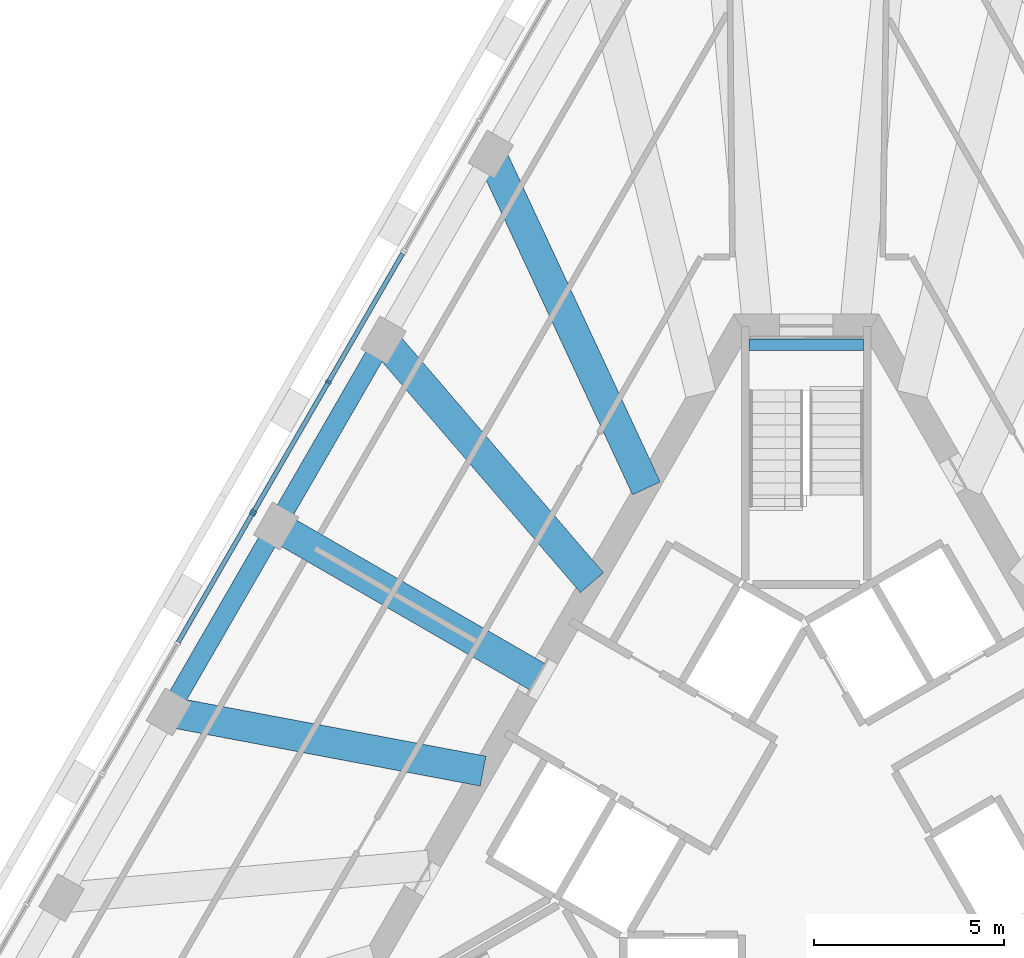
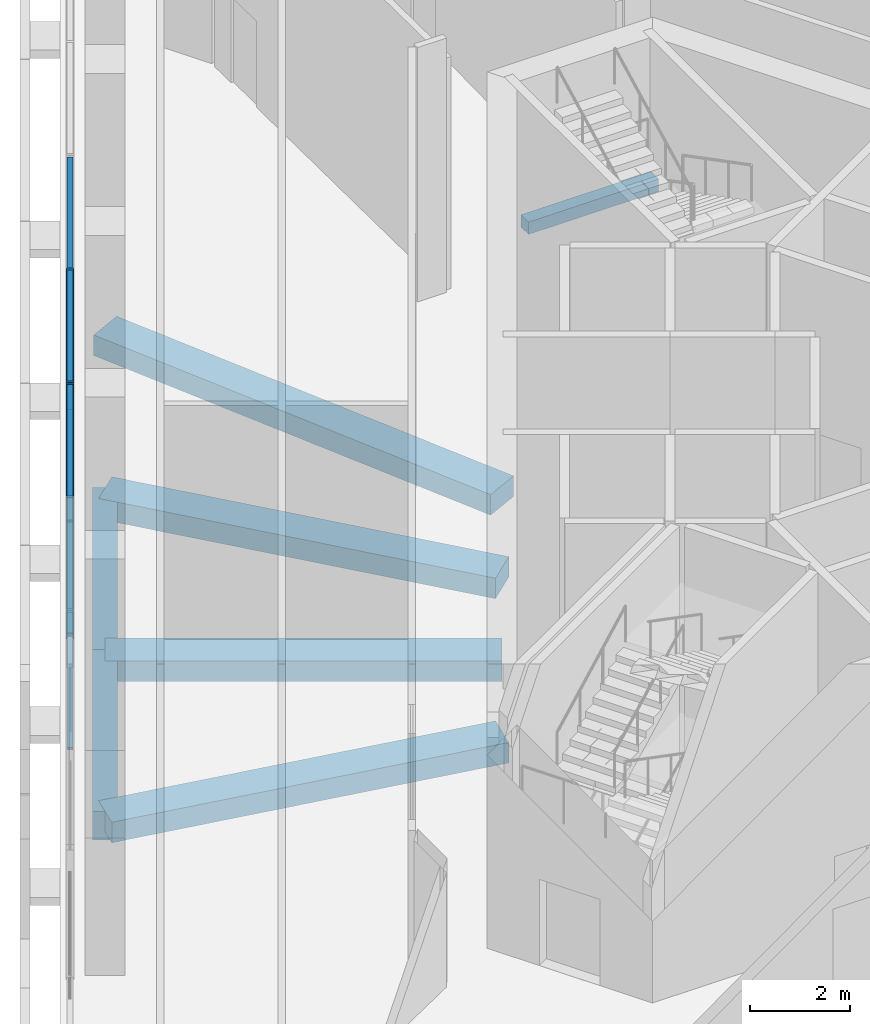
# One storey, part 4 of 16: 9 members, 7 beams, 2 elements without a shape of their own.
"""IFC4 building model written with IfcOpenShell, lengths in metres."""

import ifcopenshell
import ifcopenshell.guid

model = None  # the IFC model being written
_history = None  # IfcOwnerHistory: only IFC2X3 demands one
_inside = {}  # id of a spatial element -> (the spatial element, [elements in it])
_under = {}  # id of a project, library or spatial element -> (it, [spatial elements below it])
_declared = {}  # id of a project -> (the project, [libraries it declares])
_typed = {}  # id of a type object -> (the type object, [elements of that type])
_made_of = {}  # id of a material, layer set ... -> (it, [elements and type objects made of it])


def new_model(schema):
    """Start an empty IFC model of exactly this schema.

    Asked for "IFC4X3", IfcOpenShell would pick the latest addendum, in which some entities
    have other attributes; the version numbers below select the first issue.
    IFC2X3 requires an IfcOwnerHistory on every rooted entity: one is made here for all.
    """
    global model, _history
    if schema == "IFC4X3":
        model = ifcopenshell.file(schema_version=(4, 3, 0, 0))
    else:
        model = ifcopenshell.file(schema=schema)
    _inside.clear()
    _under.clear()
    _declared.clear()
    _typed.clear()
    _made_of.clear()
    _history = None
    if model.schema == "IFC2X3":
        org = make("IfcOrganization", Name="unknown")
        user = make(
            "IfcPersonAndOrganization",
            ThePerson=make("IfcPerson", FamilyName="unknown"),
            TheOrganization=org,
        )
        app = make(
            "IfcApplication",
            ApplicationDeveloper=org,
            Version="unknown",
            ApplicationFullName="unknown",
            ApplicationIdentifier="unknown",
        )
        _history = make(
            "IfcOwnerHistory",
            OwningUser=user,
            OwningApplication=app,
            ChangeAction="ADDED",
            CreationDate=0,
        )
    return model


def make(cls, **values):
    """One entity of the class cls with the attributes given. An attribute that is None is left unset."""
    return model.create_entity(
        cls, **{name: value for name, value in values.items() if value is not None}
    )


def rooted(cls, **values):
    """An entity with a GlobalId (a new one), such as an element, a storey or a relation."""
    return make(cls, GlobalId=ifcopenshell.guid.new(), OwnerHistory=_history, **values)


def si_unit(unit_type, name, prefix=None):
    """IfcSIUnit, for example si_unit("LENGTHUNIT", "METRE", prefix="MILLI")."""
    return make("IfcSIUnit", UnitType=unit_type, Prefix=prefix, Name=name)


def assignment(units):
    """IfcUnitAssignment: the units of a project."""
    return None if units is None else make("IfcUnitAssignment", Units=units)


def point(xyz):
    """IfcCartesianPoint."""
    return None if xyz is None else make("IfcCartesianPoint", Coordinates=xyz)


def direction(xyz):
    """IfcDirection."""
    return None if xyz is None else make("IfcDirection", DirectionRatios=xyz)


def frame(location, z_axis=None, x_axis=None):
    """IfcAxis2Placement3D, a coordinate frame: its origin and axes. An axis left out is left unset."""
    return make(
        "IfcAxis2Placement3D",
        Location=point(location),
        Axis=direction(z_axis),
        RefDirection=direction(x_axis),
    )


def frame_2d(location, x_axis=None):
    """IfcAxis2Placement2D, a coordinate frame in the plane: its origin and x axis."""
    return make(
        "IfcAxis2Placement2D", Location=point(location), RefDirection=direction(x_axis)
    )


def origin():
    """The frame at (0, 0, 0) with its axes left unset."""
    return frame((0.0, 0.0, 0.0))


def origin_2d():
    """The frame at (0, 0) in the plane with its x axis left unset."""
    return frame_2d((0.0, 0.0))


def place(relative_to, where):
    """IfcLocalPlacement: puts the frame where relative to a parent placement (None: the world)."""
    return make(
        "IfcLocalPlacement", PlacementRelTo=relative_to, RelativePlacement=where
    )


def context(
    kind, dimensions, precision=None, world=None, true_north=None, identifier=None
):
    """IfcGeometricRepresentationContext, for example the 3D "Model" context."""
    return make(
        "IfcGeometricRepresentationContext",
        ContextIdentifier=identifier,
        ContextType=kind,
        CoordinateSpaceDimension=dimensions,
        Precision=precision,
        WorldCoordinateSystem=world,
        TrueNorth=true_north,
    )


def subcontext(parent, identifier, kind, view, scale=None):
    """IfcGeometricRepresentationSubContext, for example "Body" below "Model"."""
    return make(
        "IfcGeometricRepresentationSubContext",
        ContextIdentifier=identifier,
        ContextType=kind,
        ParentContext=parent,
        TargetScale=scale,
        TargetView=view,
    )


def project(units=None, contexts=None):
    """IfcProject with its units and contexts."""
    return rooted(
        "IfcProject",
        Name="project",
        RepresentationContexts=contexts,
        UnitsInContext=assignment(units),
    )


def spatial(cls, under=None, at=None, **own):
    """A site, building, storey or space (cls), placed at a placement, below another one or the project."""
    s = rooted(cls, ObjectPlacement=at, **own)
    if under is not None:
        _under.setdefault(under.id(), (under, []))[1].append(s)
    return s


def profile(cls, at=None, kind="AREA", **sizes):
    """A parametric profile (cls). Its sizes go by their IFC names, for example OverallWidth=200.0."""
    return make(cls, ProfileType=kind, Position=at, **sizes)


def rectangle(**sizes):
    """IfcRectangleProfileDef."""
    return profile("IfcRectangleProfileDef", **sizes)


def extrude(swept, where, along, depth):
    """IfcExtrudedAreaSolid: the profile swept, set in the frame where, extruded along a direction by depth."""
    return make(
        "IfcExtrudedAreaSolid",
        SweptArea=swept,
        Position=where,
        ExtrudedDirection=direction(along),
        Depth=depth,
    )


def shape(context_of_items, identifier, shape_type, items):
    """IfcShapeRepresentation: the items that make up one representation, for example the "Body"."""
    return make(
        "IfcShapeRepresentation",
        ContextOfItems=context_of_items,
        RepresentationIdentifier=identifier,
        RepresentationType=shape_type,
        Items=items,
    )


def material(Name=None, Category=None):
    """IfcMaterial."""
    return make("IfcMaterial", Name=Name, Category=Category)


def layer(
    of_material, thickness, ventilated=None, Name=None, Category=None, Priority=None
):
    """IfcMaterialLayer: one layer of a wall or slab, of a material (None: an air gap)."""
    return make(
        "IfcMaterialLayer",
        Material=of_material,
        LayerThickness=thickness,
        IsVentilated=ventilated,
        Name=Name,
        Category=Category,
        Priority=Priority,
    )


def layer_set(layers, Name=None):
    """IfcMaterialLayerSet."""
    return make("IfcMaterialLayerSet", MaterialLayers=layers, LayerSetName=Name)


def material_profile(
    of_material, cross_section, Name=None, Category=None, Priority=None
):
    """IfcMaterialProfile: a cross section and its material."""
    return make(
        "IfcMaterialProfile",
        Name=Name,
        Material=of_material,
        Profile=cross_section,
        Priority=Priority,
        Category=Category,
    )


def profile_set(profiles, Name=None, composite=None):
    """IfcMaterialProfileSet."""
    return make(
        "IfcMaterialProfileSet",
        Name=Name,
        MaterialProfiles=profiles,
        CompositeProfile=composite,
    )


def made_of(thing, what):
    """Note that an element or type object is made of a material, layer set ...; save() writes the relation."""
    if what is not None:
        _made_of.setdefault(what.id(), (what, []))[1].append(thing)
    return thing


def type_object(cls, material=None, **own):
    """A type object (cls), such as IfcWallType, which elements share."""
    return made_of(rooted(cls, **own), material)


def element(
    cls,
    number,
    at=None,
    inside=None,
    cuts=None,
    type_object=None,
    material=None,
    context=None,
    identifier="Body",
    shape_type=None,
    held_by="IfcProductDefinitionShape",
    body=None,
    shapes=None,
    **own,
):
    """One element of the class cls, such as IfcWall. Its Tag is "e" and its number.

    at: its placement. inside: the storey or other place that contains it. cuts: it is an
    opening in that element (IfcRelVoidsElement). A single representation is given by context,
    identifier, shape_type and body (its items); several are given by shapes. held_by: the class
    of the entity that holds the representations. save() writes the other relations.
    """
    e = rooted(cls, Tag="e%d" % number, ObjectPlacement=at, **own)
    if body is not None:
        shapes = [shape(context, identifier, shape_type, body)]
    if shapes is not None:
        e.Representation = make(held_by, Representations=shapes)
    if inside is not None:
        _inside.setdefault(inside.id(), (inside, []))[1].append(e)
    if cuts is not None:
        rooted(
            "IfcRelVoidsElement", RelatingBuildingElement=cuts, RelatedOpeningElement=e
        )
    if type_object is not None:
        _typed.setdefault(type_object.id(), (type_object, []))[1].append(e)
    return made_of(e, material)


def aggregate(whole, parts):
    """IfcRelAggregates: a whole, such as a stair, and the parts it consists of."""
    return rooted("IfcRelAggregates", RelatingObject=whole, RelatedObjects=parts)


def save(model, path):
    """Write the relations noted so far, then the file.

    IfcRelAggregates (storeys below a building ...), IfcRelContainedInSpatialStructure (elements
    in a storey), IfcRelDefinesByType, IfcRelAssociatesMaterial and IfcRelDeclares: one each for
    every whole, place, type object, material and project.
    """
    for whole, parts in _under.values():
        aggregate(whole, parts)
    for where, things in _inside.values():
        rooted(
            "IfcRelContainedInSpatialStructure",
            RelatedElements=things,
            RelatingStructure=where,
        )
    for kind, things in _typed.values():
        rooted("IfcRelDefinesByType", RelatedObjects=things, RelatingType=kind)
    for what, things in _made_of.values():
        rooted("IfcRelAssociatesMaterial", RelatedObjects=things, RelatingMaterial=what)
    for by, libraries in _declared.values():
        rooted("IfcRelDeclares", RelatingContext=by, RelatedDefinitions=libraries)
    model.write(path)


model = new_model("IFC4")

# Units and contexts
model_context = context("Model", 3, precision=1e-05, world=origin(), true_north=direction((0.0, 1.0)))
body_context = subcontext(model_context, "Body", "Model", "MODEL_VIEW")
ifc_project = project(units=[si_unit("LENGTHUNIT", "METRE"), si_unit("AREAUNIT", "SQUARE_METRE"), si_unit("VOLUMEUNIT", "CUBIC_METRE"), si_unit("PLANEANGLEUNIT", "RADIAN"), si_unit("MASSUNIT", "GRAM", prefix="KILO")], contexts=[model_context])

# Site, building, storey
site_placement = place(None, origin())
site = spatial("IfcSite", under=ifc_project, at=site_placement, CompositionType="ELEMENT")
building_placement = place(site_placement, origin())
building = spatial("IfcBuilding", under=site, at=building_placement, Name="Triada Interchange Tower", CompositionType="ELEMENT")
storey_placement = place(building_placement, frame((0.0, 0.0, 261.800048828125)))
storey = spatial("IfcBuildingStorey", under=building, at=storey_placement, Name="L61", CompositionType="ELEMENT", Elevation=261.800048828125)

# Beam
ifc_material_1 = material(Name="Concrete C35/45", Category="concrete")
ifc_material_profile_1 = material_profile(ifc_material_1, rectangle(XDim=0.300048828125, YDim=0.300048828125, at=origin_2d()), Name="RC 300x300")
ifc_profile_set_1 = profile_set([ifc_material_profile_1], Name="Concrete C35/45")
beam_type_1 = type_object("IfcBeamType", Name="Landing support beam RC 300x300", PredefinedType="BEAM", material=ifc_profile_set_1)
beam_1_placement = place(storey_placement, frame((1.5, 12.800048828125, 2.82080078125), z_axis=(-1.0, 0.0, 0.0), x_axis=(0.0, -1.0, 0.0)))
element("IfcBeam", 1, at=beam_1_placement, inside=storey, type_object=beam_type_1, Name="Landing support beam S61-1 1", PredefinedType="BEAM", context=body_context, shape_type="SweptSolid", body=[
    extrude(rectangle(XDim=0.300048828125, YDim=0.300048828125, at=origin_2d()), origin(), (0.0, 0.0, 1.0), 3.0),
])

# Curtain wall, members
ifc_material_2 = material(Name="Aluminium framed glazing", Category="aluminium")
ifc_layer = layer(ifc_material_2, 0.199951171875)
ifc_layer_set = layer_set([ifc_layer], Name="Curtain wall Sky lobby glazing")
curtain_wall_type = type_object("IfcCurtainWallType", Name="Curtain wall Sky lobby glazing", PredefinedType="NOTDEFINED", material=ifc_layer_set)
curtain_wall_1_placement = place(storey_placement, origin())
curtain_wall_1 = element("IfcCurtainWall", 2, at=curtain_wall_1_placement, inside=storey, type_object=curtain_wall_type, Name="Sky lobby glazing CW203 L61", PredefinedType="NOTDEFINED")
ifc_material_3 = material(Name="Aluminium", Category="aluminium")
ifc_material_profile_2 = material_profile(ifc_material_3, rectangle(XDim=0.159912109375, YDim=0.06005859375, at=origin_2d()), Name="Aluminium mullion")
ifc_profile_set_2 = profile_set([ifc_material_profile_2], Name="Aluminium")
member_type_1 = type_object("IfcMemberType", Name="Mullion Sky lobby glazing 160x60", PredefinedType="MULLION", material=ifc_profile_set_2)
member_1_placement = place(storey_placement, frame((-12.548095703125, 11.818115234375, 0.0), z_axis=(0.0, 0.0, 1.0), x_axis=(0.866025625136, -0.499999616608, 0.0)))
member_1 = element("IfcMember", 3, at=member_1_placement, type_object=member_type_1, Name="CW203 mullion 2", PredefinedType="MULLION", context=body_context, shape_type="SweptSolid", body=[
    extrude(rectangle(XDim=0.159912109375, YDim=0.06005859375, at=origin_2d()), origin(), (0.0, 0.0, 1.0), 6.199951171875),
])
member_2_placement = place(storey_placement, frame((-14.510986328125, 8.41796875, 0.0), z_axis=(0.0, 0.0, 1.0), x_axis=(0.866025625136, -0.499999616608, 0.0)))
member_2 = element("IfcMember", 4, at=member_2_placement, type_object=member_type_1, Name="CW203 mullion 3", PredefinedType="MULLION", context=body_context, shape_type="SweptSolid", body=[
    extrude(rectangle(XDim=0.159912109375, YDim=0.06005859375, at=origin_2d()), origin(), (0.0, 0.0, 1.0), 6.199951171875),
])

# Curtain wall, member
curtain_wall_2_placement = place(storey_placement, origin())
curtain_wall_2 = element("IfcCurtainWall", 5, at=curtain_wall_2_placement, inside=storey, type_object=curtain_wall_type, Name="Sky lobby glazing CW204 L61", PredefinedType="NOTDEFINED")
member_3_placement = place(storey_placement, frame((-14.5458984375, 8.35791015625, 0.0), z_axis=(0.0, 0.0, 1.0), x_axis=(0.866025625136, -0.499999616608, 0.0)))
member_3 = element("IfcMember", 6, at=member_3_placement, type_object=member_type_1, Name="CW204 mullion 1", PredefinedType="MULLION", context=body_context, shape_type="SweptSolid", body=[
    extrude(rectangle(XDim=0.159912109375, YDim=0.06005859375, at=origin_2d()), origin(), (0.0, 0.0, 1.0), 6.199951171875),
])

# Beams
ifc_material_4 = material(Name="Concrete C50/60", Category="concrete")
ifc_material_profile_3 = material_profile(ifc_material_4, rectangle(XDim=0.800048828125, YDim=0.5, at=origin_2d()), Name="RC 800x500")
ifc_profile_set_3 = profile_set([ifc_material_profile_3], Name="Concrete C50/60")
beam_type_2 = type_object("IfcBeamType", Name="Radial band beam D RC 800x500", PredefinedType="BEAM", material=ifc_profile_set_3)
beam_2_placement = place(storey_placement, frame((-8.283935546875, 17.802978515625, -0.550048828125), z_axis=(0.421867684671, -0.906657408633, 0.0), x_axis=(0.906657408633, 0.421867684671, 0.0)))
element("IfcBeam", 7, at=beam_2_placement, inside=storey, type_object=beam_type_2, Name="Radial band beam BD03 L61", PredefinedType="BEAM", context=body_context, shape_type="SweptSolid", body=[
    extrude(rectangle(XDim=0.800048828125, YDim=0.5, at=origin_2d()), origin(), (0.0, 0.0, 1.0), 9.6806640625),
])
beam_3_placement = place(storey_placement, frame((-11.10302734375, 12.919921875, -0.550048828125), z_axis=(0.65176752704, -0.758418809562, 0.0), x_axis=(0.758418809562, 0.65176752704, 0.0)))
element("IfcBeam", 8, at=beam_3_placement, inside=storey, type_object=beam_type_2, Name="Radial band beam BD04 L61", PredefinedType="BEAM", context=body_context, shape_type="SweptSolid", body=[
    extrude(rectangle(XDim=0.800048828125, YDim=0.5, at=origin_2d()), origin(), (0.0, 0.0, 1.0), 8.39892578125),
])
beam_4_placement = place(storey_placement, frame((-13.922119140625, 8.0380859375, -0.550048828125), z_axis=(0.866014770849, -0.500018416333, 0.0), x_axis=(0.500018416333, 0.866014770849, 0.0)))
element("IfcBeam", 9, at=beam_4_placement, inside=storey, type_object=beam_type_2, Name="Radial band beam BD05 L61", PredefinedType="BEAM", context=body_context, shape_type="SweptSolid", body=[
    extrude(rectangle(XDim=0.800048828125, YDim=0.5, at=origin_2d()), origin(), (0.0, 0.0, 1.0), 7.926025390625),
])
beam_5_placement = place(storey_placement, frame((-16.740966796875, 3.156005859375, -0.550048828125), z_axis=(0.982692715217, -0.185243157657, 0.0), x_axis=(0.185243157657, 0.982692715217, 0.0)))
element("IfcBeam", 10, at=beam_5_placement, inside=storey, type_object=beam_type_2, Name="Radial band beam BD06 L61", PredefinedType="BEAM", context=body_context, shape_type="SweptSolid", body=[
    extrude(rectangle(XDim=0.800048828125, YDim=0.5, at=origin_2d()), origin(), (0.0, 0.0, 1.0), 8.399169921875),
])
ifc_material_profile_4 = material_profile(ifc_material_4, rectangle(XDim=0.5, YDim=0.699951171875, at=origin_2d()), Name="RC 500x700")
ifc_profile_set_4 = profile_set([ifc_material_profile_4], Name="Concrete C50/60")
beam_type_3 = type_object("IfcBeamType", Name="Spandrel beam D RC 500x700", PredefinedType="BEAM", material=ifc_profile_set_4)
for number, where, z_axis, x_axis, name in (
    (11, (-11.10302734375, 12.919921875, -0.650146484375), (-0.500074834523, -0.865982193741, 0.0), (0.865982193741, -0.500074834523, 0.0), "Spandrel beam ED04 L61"),
    (12, (-13.922119140625, 8.0380859375, -0.650146484375), (-0.500023602187, -0.866011776627, 0.0), (0.866011776627, -0.500023602187, 0.0), "Spandrel beam ED05 L61"),
):
    element("IfcBeam", number, at=place(storey_placement, frame(where, z_axis=z_axis, x_axis=x_axis)), inside=storey, type_object=beam_type_3, Name=name, PredefinedType="BEAM", context=body_context, shape_type="SweptSolid", body=[
        extrude(rectangle(XDim=0.5, YDim=0.699951171875, at=origin_2d()), origin(), (0.0, 0.0, 1.0), 5.637451171875),
    ])

# Member
ifc_material_profile_5 = material_profile(ifc_material_3, rectangle(XDim=0.1201171875, YDim=0.06005859375, at=origin_2d()), Name="Aluminium transom")
ifc_profile_set_5 = profile_set([ifc_material_profile_5], Name="Aluminium")
member_type_2 = type_object("IfcMemberType", Name="Transom Sky lobby glazing 120x60", PredefinedType="USERDEFINED", material=ifc_profile_set_5)
member_4_placement = place(storey_placement, frame((-10.60009765625, 15.192138671875, 0.030029296875), z_axis=(-0.49996298108, -0.866046775613, 0.0), x_axis=(0.866046775613, -0.49996298108, 0.0)))
member_4 = element("IfcMember", 13, at=member_4_placement, type_object=member_type_2, Name="CW203 transom 1.1", ObjectType="TRANSOM", PredefinedType="USERDEFINED", context=body_context, shape_type="SweptSolid", body=[
    extrude(rectangle(XDim=0.1201171875, YDim=0.06005859375, at=origin_2d()), origin(), (0.0, 0.0, 1.0), 3.865966796875),
])

member_5_placement = place(storey_placement, frame((-10.60009765625, 15.192138671875, 6.169921875), z_axis=(-0.49996298108, -0.866046775613, 0.0), x_axis=(0.866046775613, -0.49996298108, 0.0)))
member_5 = element("IfcMember", 14, at=member_5_placement, type_object=member_type_2, Name="CW203 transom 1.2", ObjectType="TRANSOM", PredefinedType="USERDEFINED", context=body_context, shape_type="SweptSolid", body=[
    extrude(rectangle(XDim=0.1201171875, YDim=0.06005859375, at=origin_2d()), origin(), (0.0, 0.0, 1.0), 3.865966796875),
])

member_6_placement = place(storey_placement, frame((-12.56298828125, 11.7919921875, 0.030029296875), z_axis=(-0.500010344094, -0.866019431537, 0.0), x_axis=(0.866019431537, -0.500010344094, 0.0)))
member_6 = element("IfcMember", 15, at=member_6_placement, type_object=member_type_2, Name="CW203 transom 2.1", ObjectType="TRANSOM", PredefinedType="USERDEFINED", context=body_context, shape_type="SweptSolid", body=[
    extrude(rectangle(XDim=0.1201171875, YDim=0.06005859375, at=origin_2d()), origin(), (0.0, 0.0, 1.0), 3.8662109375),
])

member_7_placement = place(storey_placement, frame((-12.56298828125, 11.7919921875, 6.169921875), z_axis=(-0.500010344094, -0.866019431537, 0.0), x_axis=(0.866019431537, -0.500010344094, 0.0)))
member_7 = element("IfcMember", 16, at=member_7_placement, type_object=member_type_2, Name="CW203 transom 2.2", ObjectType="TRANSOM", PredefinedType="USERDEFINED", context=body_context, shape_type="SweptSolid", body=[
    extrude(rectangle(XDim=0.1201171875, YDim=0.06005859375, at=origin_2d()), origin(), (0.0, 0.0, 1.0), 3.8662109375),
])

aggregate(curtain_wall_1, [member_1, member_2, member_4, member_5, member_6, member_7])

member_8_placement = place(storey_placement, frame((-14.56103515625, 8.33203125, 0.030029296875), z_axis=(-0.49996298108, -0.866046775613, 0.0), x_axis=(0.866046775613, -0.49996298108, 0.0)))
member_8 = element("IfcMember", 17, at=member_8_placement, type_object=member_type_2, Name="CW204 transom 1.1", ObjectType="TRANSOM", PredefinedType="USERDEFINED", context=body_context, shape_type="SweptSolid", body=[
    extrude(rectangle(XDim=0.1201171875, YDim=0.06005859375, at=origin_2d()), origin(), (0.0, 0.0, 1.0), 3.865966796875),
])

member_9_placement = place(storey_placement, frame((-14.56103515625, 8.33203125, 6.169921875), z_axis=(-0.49996298108, -0.866046775613, 0.0), x_axis=(0.866046775613, -0.49996298108, 0.0)))
member_9 = element("IfcMember", 18, at=member_9_placement, type_object=member_type_2, Name="CW204 transom 1.2", ObjectType="TRANSOM", PredefinedType="USERDEFINED", context=body_context, shape_type="SweptSolid", body=[
    extrude(rectangle(XDim=0.1201171875, YDim=0.06005859375, at=origin_2d()), origin(), (0.0, 0.0, 1.0), 3.865966796875),
])

aggregate(curtain_wall_2, [member_3, member_8, member_9])

save(model, "model.ifc")
